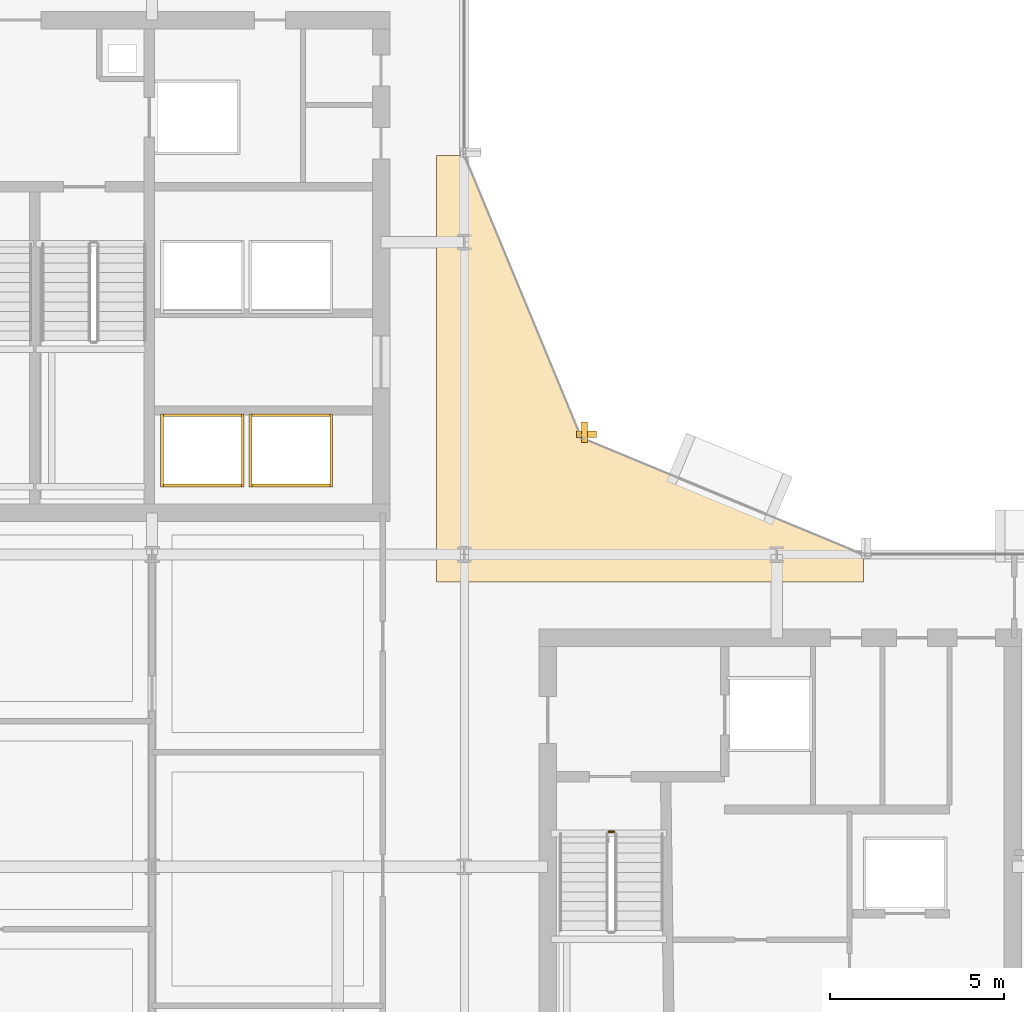
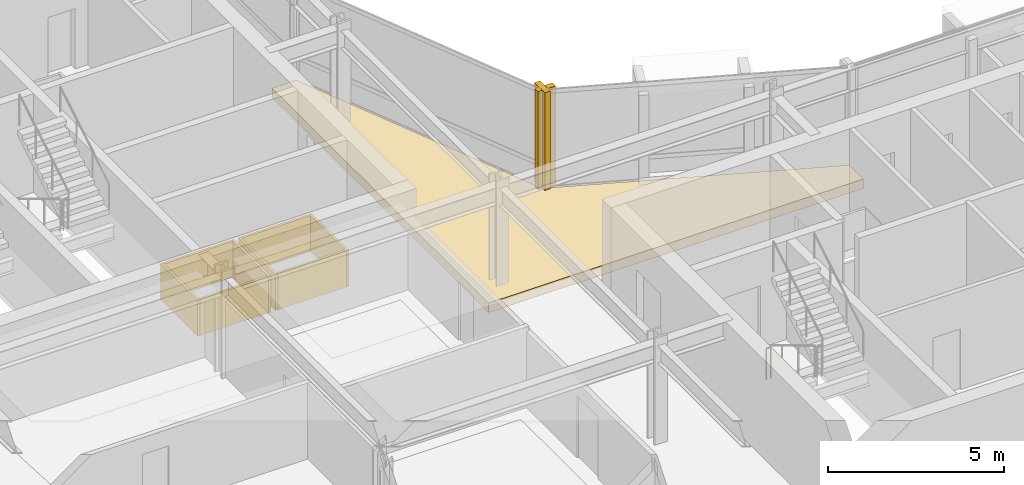
# One storey, part 27 of 29: 11 coverings, 1 railing.
"""IFC4 building model written with IfcOpenShell, lengths in metres."""

import ifcopenshell
import ifcopenshell.guid

model = None  # the IFC model being written
_history = None  # IfcOwnerHistory: only IFC2X3 demands one
_inside = {}  # id of a spatial element -> (the spatial element, [elements in it])
_under = {}  # id of a project, library or spatial element -> (it, [spatial elements below it])
_declared = {}  # id of a project -> (the project, [libraries it declares])
_typed = {}  # id of a type object -> (the type object, [elements of that type])
_made_of = {}  # id of a material, layer set ... -> (it, [elements and type objects made of it])


def new_model(schema):
    """Start an empty IFC model of exactly this schema.

    Asked for "IFC4X3", IfcOpenShell would pick the latest addendum, in which some entities
    have other attributes; the version numbers below select the first issue.
    IFC2X3 requires an IfcOwnerHistory on every rooted entity: one is made here for all.
    """
    global model, _history
    if schema == "IFC4X3":
        model = ifcopenshell.file(schema_version=(4, 3, 0, 0))
    else:
        model = ifcopenshell.file(schema=schema)
    _inside.clear()
    _under.clear()
    _declared.clear()
    _typed.clear()
    _made_of.clear()
    _history = None
    if model.schema == "IFC2X3":
        org = make("IfcOrganization", Name="unknown")
        user = make(
            "IfcPersonAndOrganization",
            ThePerson=make("IfcPerson", FamilyName="unknown"),
            TheOrganization=org,
        )
        app = make(
            "IfcApplication",
            ApplicationDeveloper=org,
            Version="unknown",
            ApplicationFullName="unknown",
            ApplicationIdentifier="unknown",
        )
        _history = make(
            "IfcOwnerHistory",
            OwningUser=user,
            OwningApplication=app,
            ChangeAction="ADDED",
            CreationDate=0,
        )
    return model


def make(cls, **values):
    """One entity of the class cls with the attributes given. An attribute that is None is left unset."""
    return model.create_entity(
        cls, **{name: value for name, value in values.items() if value is not None}
    )


def rooted(cls, **values):
    """An entity with a GlobalId (a new one), such as an element, a storey or a relation."""
    return make(cls, GlobalId=ifcopenshell.guid.new(), OwnerHistory=_history, **values)


def si_unit(unit_type, name, prefix=None):
    """IfcSIUnit, for example si_unit("LENGTHUNIT", "METRE", prefix="MILLI")."""
    return make("IfcSIUnit", UnitType=unit_type, Prefix=prefix, Name=name)


def assignment(units):
    """IfcUnitAssignment: the units of a project."""
    return None if units is None else make("IfcUnitAssignment", Units=units)


def point(xyz):
    """IfcCartesianPoint."""
    return None if xyz is None else make("IfcCartesianPoint", Coordinates=xyz)


def direction(xyz):
    """IfcDirection."""
    return None if xyz is None else make("IfcDirection", DirectionRatios=xyz)


def frame(location, z_axis=None, x_axis=None):
    """IfcAxis2Placement3D, a coordinate frame: its origin and axes. An axis left out is left unset."""
    return make(
        "IfcAxis2Placement3D",
        Location=point(location),
        Axis=direction(z_axis),
        RefDirection=direction(x_axis),
    )


def frame_2d(location, x_axis=None):
    """IfcAxis2Placement2D, a coordinate frame in the plane: its origin and x axis."""
    return make(
        "IfcAxis2Placement2D", Location=point(location), RefDirection=direction(x_axis)
    )


def origin():
    """The frame at (0, 0, 0) with its axes left unset."""
    return frame((0.0, 0.0, 0.0))


def origin_2d():
    """The frame at (0, 0) in the plane with its x axis left unset."""
    return frame_2d((0.0, 0.0))


def place(relative_to, where):
    """IfcLocalPlacement: puts the frame where relative to a parent placement (None: the world)."""
    return make(
        "IfcLocalPlacement", PlacementRelTo=relative_to, RelativePlacement=where
    )


def context(
    kind, dimensions, precision=None, world=None, true_north=None, identifier=None
):
    """IfcGeometricRepresentationContext, for example the 3D "Model" context."""
    return make(
        "IfcGeometricRepresentationContext",
        ContextIdentifier=identifier,
        ContextType=kind,
        CoordinateSpaceDimension=dimensions,
        Precision=precision,
        WorldCoordinateSystem=world,
        TrueNorth=true_north,
    )


def subcontext(parent, identifier, kind, view, scale=None):
    """IfcGeometricRepresentationSubContext, for example "Body" below "Model"."""
    return make(
        "IfcGeometricRepresentationSubContext",
        ContextIdentifier=identifier,
        ContextType=kind,
        ParentContext=parent,
        TargetScale=scale,
        TargetView=view,
    )


def project(units=None, contexts=None):
    """IfcProject with its units and contexts."""
    return rooted(
        "IfcProject",
        Name="project",
        RepresentationContexts=contexts,
        UnitsInContext=assignment(units),
    )


def spatial(cls, under=None, at=None, **own):
    """A site, building, storey or space (cls), placed at a placement, below another one or the project."""
    s = rooted(cls, ObjectPlacement=at, **own)
    if under is not None:
        _under.setdefault(under.id(), (under, []))[1].append(s)
    return s


def polyline(points):
    """IfcPolyline through the points."""
    return make("IfcPolyline", Points=[point(p) for p in points])


def profile(cls, at=None, kind="AREA", **sizes):
    """A parametric profile (cls). Its sizes go by their IFC names, for example OverallWidth=200.0."""
    return make(cls, ProfileType=kind, Position=at, **sizes)


def rectangle(**sizes):
    """IfcRectangleProfileDef."""
    return profile("IfcRectangleProfileDef", **sizes)


def circle(**sizes):
    """IfcCircleProfileDef."""
    return profile("IfcCircleProfileDef", **sizes)


def outline(outer, holes=None, kind="AREA"):
    """IfcArbitraryClosedProfileDef: a profile drawn as a closed curve; with holes, ...WithVoids."""
    if holes is None:
        return make("IfcArbitraryClosedProfileDef", ProfileType=kind, OuterCurve=outer)
    return make(
        "IfcArbitraryProfileDefWithVoids",
        ProfileType=kind,
        OuterCurve=outer,
        InnerCurves=holes,
    )


def extrude(swept, where, along, depth):
    """IfcExtrudedAreaSolid: the profile swept, set in the frame where, extruded along a direction by depth."""
    return make(
        "IfcExtrudedAreaSolid",
        SweptArea=swept,
        Position=where,
        ExtrudedDirection=direction(along),
        Depth=depth,
    )


def shape(context_of_items, identifier, shape_type, items):
    """IfcShapeRepresentation: the items that make up one representation, for example the "Body"."""
    return make(
        "IfcShapeRepresentation",
        ContextOfItems=context_of_items,
        RepresentationIdentifier=identifier,
        RepresentationType=shape_type,
        Items=items,
    )


def material(Name=None, Category=None):
    """IfcMaterial."""
    return make("IfcMaterial", Name=Name, Category=Category)


def layer(
    of_material, thickness, ventilated=None, Name=None, Category=None, Priority=None
):
    """IfcMaterialLayer: one layer of a wall or slab, of a material (None: an air gap)."""
    return make(
        "IfcMaterialLayer",
        Material=of_material,
        LayerThickness=thickness,
        IsVentilated=ventilated,
        Name=Name,
        Category=Category,
        Priority=Priority,
    )


def layer_set(layers, Name=None):
    """IfcMaterialLayerSet."""
    return make("IfcMaterialLayerSet", MaterialLayers=layers, LayerSetName=Name)


def made_of(thing, what):
    """Note that an element or type object is made of a material, layer set ...; save() writes the relation."""
    if what is not None:
        _made_of.setdefault(what.id(), (what, []))[1].append(thing)
    return thing


def type_object(cls, material=None, **own):
    """A type object (cls), such as IfcWallType, which elements share."""
    return made_of(rooted(cls, **own), material)


def element(
    cls,
    number,
    at=None,
    inside=None,
    cuts=None,
    type_object=None,
    material=None,
    context=None,
    identifier="Body",
    shape_type=None,
    held_by="IfcProductDefinitionShape",
    body=None,
    shapes=None,
    **own,
):
    """One element of the class cls, such as IfcWall. Its Tag is "e" and its number.

    at: its placement. inside: the storey or other place that contains it. cuts: it is an
    opening in that element (IfcRelVoidsElement). A single representation is given by context,
    identifier, shape_type and body (its items); several are given by shapes. held_by: the class
    of the entity that holds the representations. save() writes the other relations.
    """
    e = rooted(cls, Tag="e%d" % number, ObjectPlacement=at, **own)
    if body is not None:
        shapes = [shape(context, identifier, shape_type, body)]
    if shapes is not None:
        e.Representation = make(held_by, Representations=shapes)
    if inside is not None:
        _inside.setdefault(inside.id(), (inside, []))[1].append(e)
    if cuts is not None:
        rooted(
            "IfcRelVoidsElement", RelatingBuildingElement=cuts, RelatedOpeningElement=e
        )
    if type_object is not None:
        _typed.setdefault(type_object.id(), (type_object, []))[1].append(e)
    return made_of(e, material)


def aggregate(whole, parts):
    """IfcRelAggregates: a whole, such as a stair, and the parts it consists of."""
    return rooted("IfcRelAggregates", RelatingObject=whole, RelatedObjects=parts)


def save(model, path):
    """Write the relations noted so far, then the file.

    IfcRelAggregates (storeys below a building ...), IfcRelContainedInSpatialStructure (elements
    in a storey), IfcRelDefinesByType, IfcRelAssociatesMaterial and IfcRelDeclares: one each for
    every whole, place, type object, material and project.
    """
    for whole, parts in _under.values():
        aggregate(whole, parts)
    for where, things in _inside.values():
        rooted(
            "IfcRelContainedInSpatialStructure",
            RelatedElements=things,
            RelatingStructure=where,
        )
    for kind, things in _typed.values():
        rooted("IfcRelDefinesByType", RelatedObjects=things, RelatingType=kind)
    for what, things in _made_of.values():
        rooted("IfcRelAssociatesMaterial", RelatedObjects=things, RelatingMaterial=what)
    for by, libraries in _declared.values():
        rooted("IfcRelDeclares", RelatingContext=by, RelatedDefinitions=libraries)
    model.write(path)


model = new_model("IFC4")

# Units and contexts
model_context = context("Model", 3, precision=1e-05, world=origin(), true_north=direction((0.0, 1.0)))
body_context = subcontext(model_context, "Body", "Model", "MODEL_VIEW")
ifc_project = project(units=[si_unit("LENGTHUNIT", "METRE"), si_unit("AREAUNIT", "SQUARE_METRE"), si_unit("VOLUMEUNIT", "CUBIC_METRE"), si_unit("PLANEANGLEUNIT", "RADIAN"), si_unit("MASSUNIT", "GRAM", prefix="KILO")], contexts=[model_context])

# Site, building, storey
site_placement = place(None, origin())
site = spatial("IfcSite", under=ifc_project, at=site_placement, CompositionType="ELEMENT")
building_placement = place(site_placement, origin())
building = spatial("IfcBuilding", under=site, at=building_placement, Name="Solvaryn Broadcast Tower", CompositionType="ELEMENT")
storey_placement = place(building_placement, frame((0.0, 0.0, 128.5)))
storey = spatial("IfcBuildingStorey", under=building, at=storey_placement, Name="L31", CompositionType="ELEMENT", Elevation=128.5)

# Coverings
ifc_material_1 = material(Name="Fire-Rated Gypsum Shaftwall Liner", Category="concrete")
ifc_layer_1 = layer(ifc_material_1, 0.080078125)
ifc_layer_set_1 = layer_set([ifc_layer_1], Name="CV-SHAFT-LINER")
covering_type_1 = type_object("IfcCoveringType", Name="CV-SHAFT-LINER", PredefinedType="CLADDING", material=ifc_layer_set_1)
for number, where, z_axis, x_axis, name in (
    (1, (19.449951171875, 31.014892578125, 0.0), (0.0, 0.0, 1.0), (1.0, 0.0, 0.0), "L31 PH1 Hoistway Shaft Liner North"),
    (2, (19.449951171875, 28.985107421875, 0.0), (0.0, 0.0, 1.0), (1.0, 0.0, 0.0), "L31 PH1 Hoistway Shaft Liner South"),
):
    element("IfcCovering", number, at=place(storey_placement, frame(where, z_axis=z_axis, x_axis=x_axis)), inside=storey, type_object=covering_type_1, Name=name, PredefinedType="CLADDING", context=body_context, shape_type="SweptSolid", body=[
        extrude(rectangle(XDim=2.409912109375, YDim=0.080078125, at=origin_2d()), origin(), (0.0, 0.0, 1.0), 1.25),
    ])
for number, where, z_axis, x_axis, name in (
    (3, (20.614990234375, 30.0, 0.0), (0.0, 0.0, 1.0), (1.0, 0.0, 0.0), "L31 PH1 Hoistway Shaft Liner East"),
    (4, (18.284912109375, 30.0, 0.0), (0.0, 0.0, 1.0), (1.0, 0.0, 0.0), "L31 PH1 Hoistway Shaft Liner West"),
):
    element("IfcCovering", number, at=place(storey_placement, frame(where, z_axis=z_axis, x_axis=x_axis)), inside=storey, type_object=covering_type_1, Name=name, PredefinedType="CLADDING", context=body_context, shape_type="SweptSolid", body=[
        extrude(rectangle(XDim=0.080078125, YDim=2.110107421875, at=origin_2d()), origin(), (0.0, 0.0, 1.0), 1.25),
    ])
for number, where, z_axis, x_axis, name in (
    (5, (22.0, 31.014892578125, 0.0), (0.0, 0.0, 1.0), (1.0, 0.0, 0.0), "L31 PH2 Hoistway Shaft Liner North"),
    (6, (22.0, 28.985107421875, 0.0), (0.0, 0.0, 1.0), (1.0, 0.0, 0.0), "L31 PH2 Hoistway Shaft Liner South"),
):
    element("IfcCovering", number, at=place(storey_placement, frame(where, z_axis=z_axis, x_axis=x_axis)), inside=storey, type_object=covering_type_1, Name=name, PredefinedType="CLADDING", context=body_context, shape_type="SweptSolid", body=[
        extrude(rectangle(XDim=2.409912109375, YDim=0.080078125, at=origin_2d()), origin(), (0.0, 0.0, 1.0), 1.25),
    ])
for number, where, z_axis, x_axis, name in (
    (7, (23.1650390625, 30.0, 0.0), (0.0, 0.0, 1.0), (1.0, 0.0, 0.0), "L31 PH2 Hoistway Shaft Liner East"),
    (8, (20.8349609375, 30.0, 0.0), (0.0, 0.0, 1.0), (1.0, 0.0, 0.0), "L31 PH2 Hoistway Shaft Liner West"),
):
    element("IfcCovering", number, at=place(storey_placement, frame(where, z_axis=z_axis, x_axis=x_axis)), inside=storey, type_object=covering_type_1, Name=name, PredefinedType="CLADDING", context=body_context, shape_type="SweptSolid", body=[
        extrude(rectangle(XDim=0.080078125, YDim=2.110107421875, at=origin_2d()), origin(), (0.0, 0.0, 1.0), 1.25),
    ])
ifc_material_2 = material(Name="Extruded Architectural Terracotta Fin", Category="masonry")
ifc_layer_2 = layer(ifc_material_2, 0.179931640625)
ifc_layer_set_2 = layer_set([ifc_layer_2], Name="CV-TC-FIN")
covering_type_2 = type_object("IfcCoveringType", Name="CV-TC-FIN", PredefinedType="USERDEFINED", material=ifc_layer_set_2)
covering_1_placement = place(storey_placement, frame((30.464599609375, 30.52294921875, 0.0), z_axis=(0.0, 0.0, 1.0), x_axis=(1.0, 0.0, 0.0)))
element("IfcCovering", 9, at=covering_1_placement, inside=storey, type_object=covering_type_2, Name="L31 Terracotta Vertical Fin FIN-L31-CN1-M01", ObjectType="FIN", PredefinedType="USERDEFINED", context=body_context, shape_type="SweptSolid", body=[
    extrude(rectangle(XDim=0.179931640625, YDim=0.580078125, at=origin_2d()), origin(), (0.0, 0.0, 1.0), 3.419921875),
])
covering_2_placement = place(storey_placement, frame((30.52294921875, 30.464599609375, 0.0), z_axis=(0.0, 0.0, 1.0), x_axis=(1.0, 0.0, 0.0)))
element("IfcCovering", 10, at=covering_2_placement, inside=storey, type_object=covering_type_2, Name="L31 Terracotta Vertical Fin FIN-L31-CN2-M00", ObjectType="FIN", PredefinedType="USERDEFINED", context=body_context, shape_type="SweptSolid", body=[
    extrude(rectangle(XDim=0.580078125, YDim=0.179931640625, at=origin_2d()), origin(), (0.0, 0.0, 1.0), 3.419921875),
])
ifc_material_3 = material(Name="Sculpted Architectural Terracotta Wave Fascia", Category="masonry")
ifc_layer_3 = layer(ifc_material_3, 0.340087890625)
ifc_layer_set_3 = layer_set([ifc_layer_3], Name="CV-WAVE-TRAY")
covering_type_3 = type_object("IfcCoveringType", Name="CV-WAVE-TRAY", PredefinedType="CLADDING", material=ifc_layer_set_3)
covering_3_placement = place(storey_placement, frame((0.0, 0.0, -0.300048828125)))
element("IfcCovering", 11, at=covering_3_placement, inside=storey, type_object=covering_type_3, Name="L31 Concave Canyon Floor Apron", PredefinedType="CLADDING", context=body_context, shape_type="SweptSolid", body=[
    extrude(outline(polyline([(26.199951171875, 26.199951171875), (38.5, 26.199951171875), (38.5, 27.0), (30.367919921875, 30.367919921875), (27.0, 38.5), (26.199951171875, 38.5), (26.199951171875, 26.199951171875)])), origin(), (0.0, 0.0, 1.0), 0.330078125),
])

# Railing
ifc_material_4 = material(Name="Painted Steel Stair Well Guard", Category="steel")
railing_type = type_object("IfcRailingType", Name="RL-STAIR-GUARD", PredefinedType="BALUSTRADE", material=ifc_material_4)
railing_placement = place(storey_placement, frame((31.159912109375, 19.010009765625, 0.0)))
element("IfcRailing", 12, at=railing_placement, inside=storey, type_object=railing_type, Name="L31 ST3 stair guard 4", PredefinedType="BALUSTRADE", context=body_context, shape_type="SweptSolid", body=[
    extrude(circle(Radius=0.02392578125, at=origin_2d()), frame((0.0, 0.0, 1.076171875), z_axis=(1.0, 0.0, 0.0), x_axis=(0.0, 1.0, 0.0)), (0.0, 0.0, 1.0), 0.150146484375),
    extrude(circle(Radius=0.02099609375, at=origin_2d()), origin(), (0.0, 0.0, 1.0), 1.052001953125),
    extrude(circle(Radius=0.02099609375, at=origin_2d()), frame((0.150146484375, 0.0, 0.0)), (0.0, 0.0, 1.0), 1.052001953125),
])

save(model, "model.ifc")
